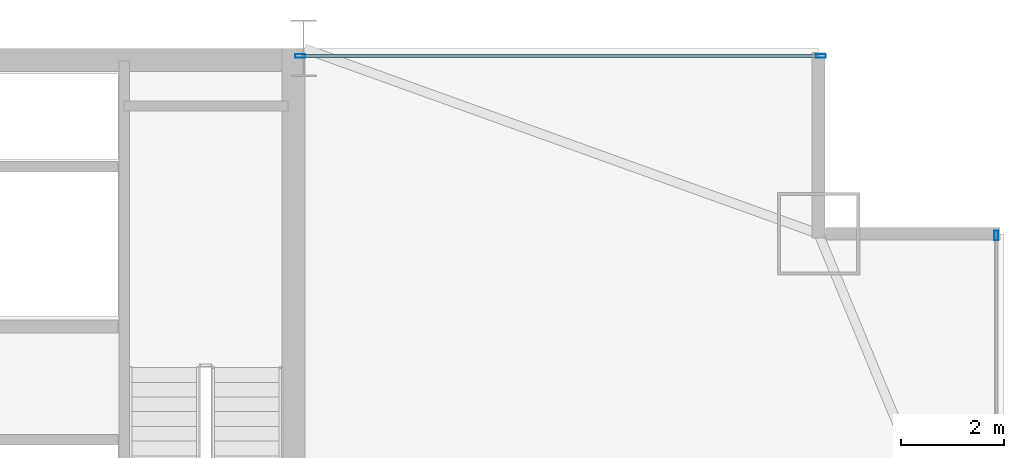
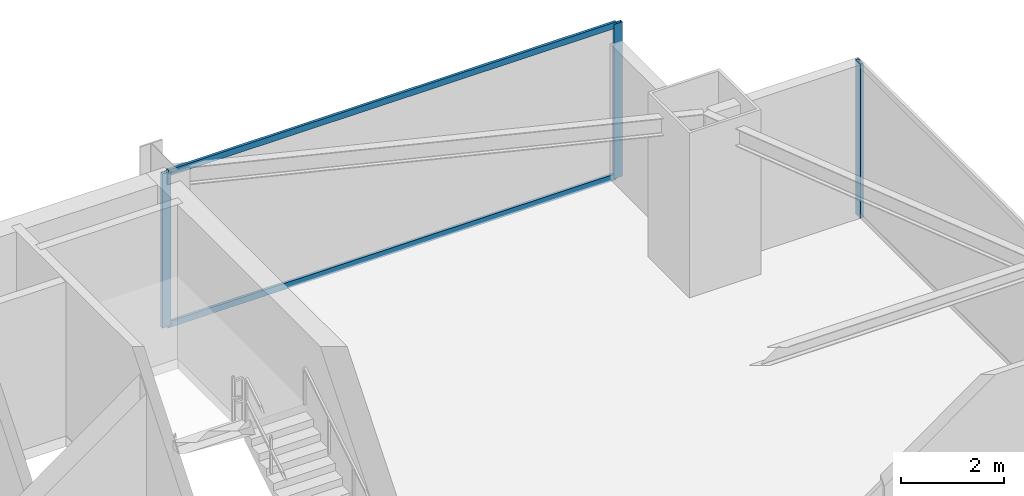
# One storey, part 24 of 32: 5 members, 2 elements without a shape of their own.
"""IFC4 building model written with IfcOpenShell, lengths in metres."""

from ifc_helpers import new_model, si_unit, direction, frame, origin, origin_2d, place, context, subcontext, project, spatial, hollow_rectangle, extrude, source, transform, mapped, material, layer, layer_set, material_profile, profile_set, type_object, type_shapes, element, aggregate, save


model = new_model("IFC4")

# Units and contexts
model_context = context("Model", 3, precision=1e-05, world=origin(), true_north=direction((0.0, 1.0)))
body_context = subcontext(model_context, "Body", "Model", "MODEL_VIEW")
ifc_project = project(units=[si_unit("LENGTHUNIT", "METRE"), si_unit("AREAUNIT", "SQUARE_METRE"), si_unit("VOLUMEUNIT", "CUBIC_METRE"), si_unit("PLANEANGLEUNIT", "RADIAN"), si_unit("MASSUNIT", "GRAM", prefix="KILO")], contexts=[model_context])

# Site, building, storey
site_placement = place(None, origin())
site = spatial("IfcSite", under=ifc_project, at=site_placement, CompositionType="ELEMENT")
building_placement = place(site_placement, origin())
building = spatial("IfcBuilding", under=site, at=building_placement, Name="Varnel Quay Broadcast Tower", CompositionType="ELEMENT")
storey_placement = place(building_placement, frame((0.0, 0.0, 70.5)))
storey = spatial("IfcBuildingStorey", under=building, at=storey_placement, Name="L16", CompositionType="ELEMENT", Elevation=70.5)

# Curtain wall, member
ifc_material = material(Name="Anodised Bronze Aluminium 6063-T6", Category="aluminium")
ifc_layer = layer(ifc_material, 0.18994140625, Name="Anodised Bronze Aluminium 6063-T6")
ifc_layer_set = layer_set([ifc_layer], Name="Anodised Bronze Aluminium 6063-T6")
curtain_wall_type = type_object("IfcCurtainWallType", Name="CW_LowerTower", PredefinedType="NOTDEFINED", material=ifc_layer_set)
curtain_wall_1_placement = place(storey_placement, origin())
curtain_wall_1 = element("IfcCurtainWall", 1, at=curtain_wall_1_placement, inside=storey, type_object=curtain_wall_type, Name="L16 East Unitised Curtain Wall", PredefinedType="NOTDEFINED")
ifc_material_profile_1 = material_profile(ifc_material, hollow_rectangle(XDim=0.070068359375, YDim=0.18994140625, WallThickness=0.00390625, at=origin_2d()), Name="ALU70X190X4")
ifc_profile_set_1 = profile_set([ifc_material_profile_1], Name="Anodised Bronze Aluminium 6063-T6")
member_type_1 = type_object("IfcMemberType", Name="Mull_CWS-02", PredefinedType="MULLION", material=ifc_profile_set_1)
shared_shape_1 = source(origin(), body_context, "Body", "SweptSolid", [
    extrude(hollow_rectangle(XDim=0.070068359375, YDim=0.18994140625, WallThickness=0.00390625, at=origin_2d()), origin(), (0.0, 0.0, 1.0), 3.64990234375),
])
type_shapes(member_type_1, [shared_shape_1])
member_1_placement = place(storey_placement, frame((65.85009765625, 43.1650390625, 0.0), z_axis=(0.0, 0.0, 1.0), x_axis=(-1.0, 0.0, 0.0)))
member_1 = element("IfcMember", 2, at=member_1_placement, type_object=member_type_1, Name="CWS-02 mullion 4", PredefinedType="MULLION", context=body_context, shape_type="MappedRepresentation", body=[
    mapped(shared_shape_1, transform((0.0, 0.0, 0.0), x_axis=(1.0, 0.0, 0.0), y_axis=(0.0, 1.0, 0.0), z_axis=(0.0, 0.0, 1.0), scale=1.0)),
])
aggregate(curtain_wall_1, [member_1])

# Curtain wall, members
curtain_wall_2_placement = place(storey_placement, origin())
curtain_wall_2 = element("IfcCurtainWall", 3, at=curtain_wall_2_placement, inside=storey, type_object=curtain_wall_type, Name="L16 NE Wing Curtain Wall", PredefinedType="NOTDEFINED")
member_2_placement = place(storey_placement, frame((52.3349609375, 46.64990234375, 0.0), z_axis=(0.0, 0.0, 1.0), x_axis=(0.0, 1.0, 0.0)))
member_2 = element("IfcMember", 4, at=member_2_placement, type_object=member_type_1, Name="CWS-02 mullion 1", PredefinedType="MULLION", context=body_context, shape_type="MappedRepresentation", body=[
    mapped(shared_shape_1, transform((0.0, 0.0, 0.0), x_axis=(1.0, 0.0, 0.0), y_axis=(0.0, 1.0, 0.0), z_axis=(0.0, 0.0, 1.0), scale=1.0)),
])
member_3_placement = place(storey_placement, frame((62.445068359375, 46.64990234375, 0.0), z_axis=(0.0, 0.0, 1.0), x_axis=(0.0, 1.0, 0.0)))
member_3 = element("IfcMember", 5, at=member_3_placement, type_object=member_type_1, Name="CWS-02 mullion 2", PredefinedType="MULLION", context=body_context, shape_type="MappedRepresentation", body=[
    mapped(shared_shape_1, transform((0.0, 0.0, 0.0), x_axis=(1.0, 0.0, 0.0), y_axis=(0.0, 1.0, 0.0), z_axis=(0.0, 0.0, 1.0), scale=1.0)),
])
ifc_material_profile_2 = material_profile(ifc_material, hollow_rectangle(XDim=0.06005859375, YDim=0.14501953125, WallThickness=0.00341796875, at=origin_2d()), Name="ALU60X145X3.5")
ifc_profile_set_2 = profile_set([ifc_material_profile_2], Name="Anodised Bronze Aluminium 6063-T6")
member_type_2 = type_object("IfcMemberType", Name="Tran_CWS-02", PredefinedType="USERDEFINED", material=ifc_profile_set_2)
shared_shape_2 = source(origin(), body_context, "Body", "SweptSolid", [
    extrude(hollow_rectangle(XDim=0.06005859375, YDim=0.14501953125, WallThickness=0.00341796875, at=origin_2d()), origin(), (0.0, 0.0, 1.0), 10.039794921875),
])
type_shapes(member_type_2, [shared_shape_2])
member_4_placement = place(storey_placement, frame((52.3701171875, 46.64990234375, 0.030029296875), z_axis=(1.0, 0.0, 0.0), x_axis=(0.0, 1.0, 0.0)))
member_4 = element("IfcMember", 6, at=member_4_placement, type_object=member_type_2, Name="CWS-02 transom 1.1", ObjectType="TRANSOM", PredefinedType="USERDEFINED", context=body_context, shape_type="MappedRepresentation", body=[
    mapped(shared_shape_2, transform((0.0, 0.0, 0.0), x_axis=(1.0, 0.0, 0.0), y_axis=(0.0, 1.0, 0.0), z_axis=(0.0, 0.0, 1.0), scale=1.0)),
])
member_5_placement = place(storey_placement, frame((52.3701171875, 46.64990234375, 3.6201171875), z_axis=(1.0, 0.0, 0.0), x_axis=(0.0, 1.0, 0.0)))
member_5 = element("IfcMember", 7, at=member_5_placement, type_object=member_type_2, Name="CWS-02 transom 1.2", ObjectType="TRANSOM", PredefinedType="USERDEFINED", context=body_context, shape_type="MappedRepresentation", body=[
    mapped(shared_shape_2, transform((0.0, 0.0, 0.0), x_axis=(1.0, 0.0, 0.0), y_axis=(0.0, 1.0, 0.0), z_axis=(0.0, 0.0, 1.0), scale=1.0)),
])
aggregate(curtain_wall_2, [member_2, member_3, member_4, member_5])

save(model, "model.ifc")
